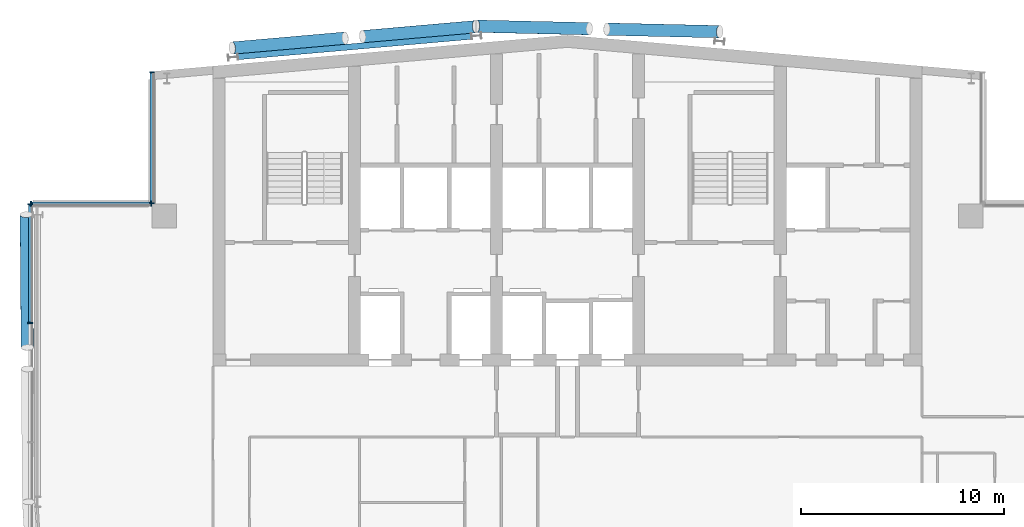
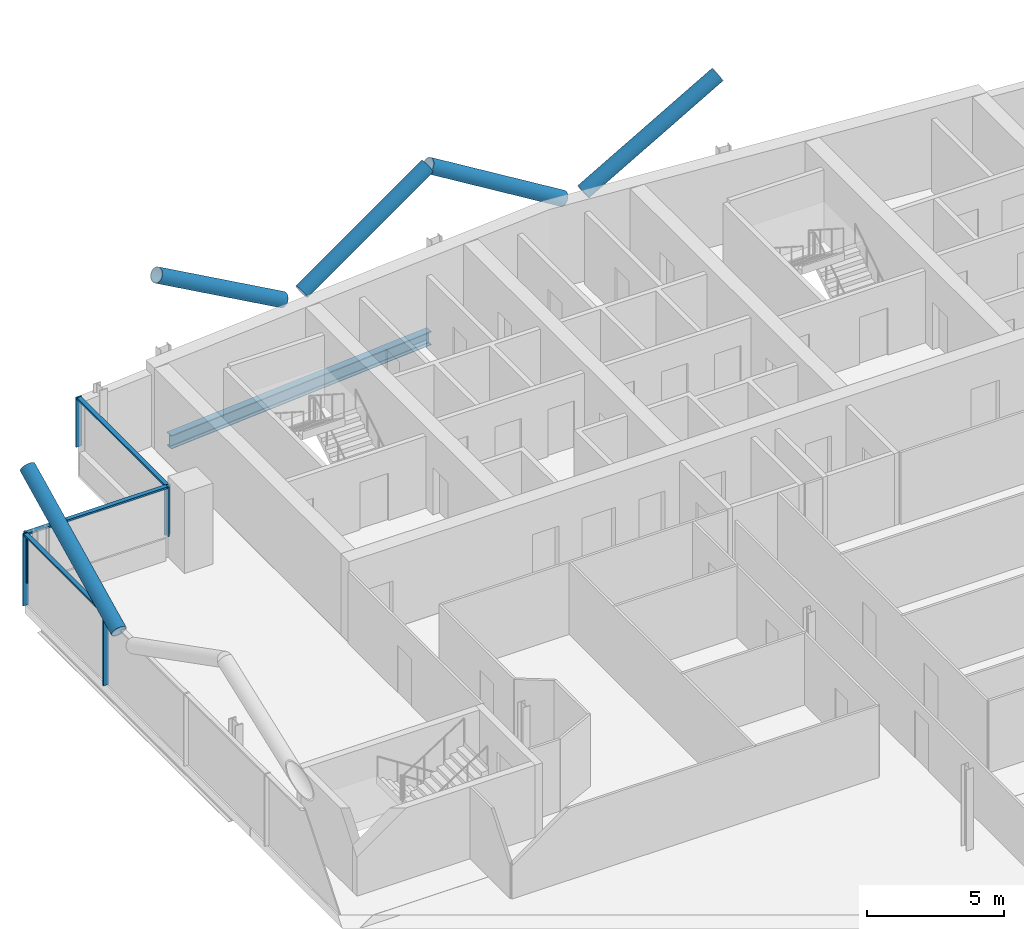
# One storey, part 10 of 27: 14 members, 1 beam, 3 elements without a shape of their own.
"""IFC4 building model written with IfcOpenShell, lengths in metres."""

import ifcopenshell
import ifcopenshell.guid

model = None  # the IFC model being written
_history = None  # IfcOwnerHistory: only IFC2X3 demands one
_inside = {}  # id of a spatial element -> (the spatial element, [elements in it])
_under = {}  # id of a project, library or spatial element -> (it, [spatial elements below it])
_declared = {}  # id of a project -> (the project, [libraries it declares])
_typed = {}  # id of a type object -> (the type object, [elements of that type])
_made_of = {}  # id of a material, layer set ... -> (it, [elements and type objects made of it])


def new_model(schema):
    """Start an empty IFC model of exactly this schema.

    Asked for "IFC4X3", IfcOpenShell would pick the latest addendum, in which some entities
    have other attributes; the version numbers below select the first issue.
    IFC2X3 requires an IfcOwnerHistory on every rooted entity: one is made here for all.
    """
    global model, _history
    if schema == "IFC4X3":
        model = ifcopenshell.file(schema_version=(4, 3, 0, 0))
    else:
        model = ifcopenshell.file(schema=schema)
    _inside.clear()
    _under.clear()
    _declared.clear()
    _typed.clear()
    _made_of.clear()
    _history = None
    if model.schema == "IFC2X3":
        org = make("IfcOrganization", Name="unknown")
        user = make(
            "IfcPersonAndOrganization",
            ThePerson=make("IfcPerson", FamilyName="unknown"),
            TheOrganization=org,
        )
        app = make(
            "IfcApplication",
            ApplicationDeveloper=org,
            Version="unknown",
            ApplicationFullName="unknown",
            ApplicationIdentifier="unknown",
        )
        _history = make(
            "IfcOwnerHistory",
            OwningUser=user,
            OwningApplication=app,
            ChangeAction="ADDED",
            CreationDate=0,
        )
    return model


def make(cls, **values):
    """One entity of the class cls with the attributes given. An attribute that is None is left unset."""
    return model.create_entity(
        cls, **{name: value for name, value in values.items() if value is not None}
    )


def rooted(cls, **values):
    """An entity with a GlobalId (a new one), such as an element, a storey or a relation."""
    return make(cls, GlobalId=ifcopenshell.guid.new(), OwnerHistory=_history, **values)


def si_unit(unit_type, name, prefix=None):
    """IfcSIUnit, for example si_unit("LENGTHUNIT", "METRE", prefix="MILLI")."""
    return make("IfcSIUnit", UnitType=unit_type, Prefix=prefix, Name=name)


def assignment(units):
    """IfcUnitAssignment: the units of a project."""
    return None if units is None else make("IfcUnitAssignment", Units=units)


def point(xyz):
    """IfcCartesianPoint."""
    return None if xyz is None else make("IfcCartesianPoint", Coordinates=xyz)


def direction(xyz):
    """IfcDirection."""
    return None if xyz is None else make("IfcDirection", DirectionRatios=xyz)


def frame(location, z_axis=None, x_axis=None):
    """IfcAxis2Placement3D, a coordinate frame: its origin and axes. An axis left out is left unset."""
    return make(
        "IfcAxis2Placement3D",
        Location=point(location),
        Axis=direction(z_axis),
        RefDirection=direction(x_axis),
    )


def frame_2d(location, x_axis=None):
    """IfcAxis2Placement2D, a coordinate frame in the plane: its origin and x axis."""
    return make(
        "IfcAxis2Placement2D", Location=point(location), RefDirection=direction(x_axis)
    )


def origin():
    """The frame at (0, 0, 0) with its axes left unset."""
    return frame((0.0, 0.0, 0.0))


def origin_2d():
    """The frame at (0, 0) in the plane with its x axis left unset."""
    return frame_2d((0.0, 0.0))


def place(relative_to, where):
    """IfcLocalPlacement: puts the frame where relative to a parent placement (None: the world)."""
    return make(
        "IfcLocalPlacement", PlacementRelTo=relative_to, RelativePlacement=where
    )


def context(
    kind, dimensions, precision=None, world=None, true_north=None, identifier=None
):
    """IfcGeometricRepresentationContext, for example the 3D "Model" context."""
    return make(
        "IfcGeometricRepresentationContext",
        ContextIdentifier=identifier,
        ContextType=kind,
        CoordinateSpaceDimension=dimensions,
        Precision=precision,
        WorldCoordinateSystem=world,
        TrueNorth=true_north,
    )


def subcontext(parent, identifier, kind, view, scale=None):
    """IfcGeometricRepresentationSubContext, for example "Body" below "Model"."""
    return make(
        "IfcGeometricRepresentationSubContext",
        ContextIdentifier=identifier,
        ContextType=kind,
        ParentContext=parent,
        TargetScale=scale,
        TargetView=view,
    )


def project(units=None, contexts=None):
    """IfcProject with its units and contexts."""
    return rooted(
        "IfcProject",
        Name="project",
        RepresentationContexts=contexts,
        UnitsInContext=assignment(units),
    )


def spatial(cls, under=None, at=None, **own):
    """A site, building, storey or space (cls), placed at a placement, below another one or the project."""
    s = rooted(cls, ObjectPlacement=at, **own)
    if under is not None:
        _under.setdefault(under.id(), (under, []))[1].append(s)
    return s


def profile(cls, at=None, kind="AREA", **sizes):
    """A parametric profile (cls). Its sizes go by their IFC names, for example OverallWidth=200.0."""
    return make(cls, ProfileType=kind, Position=at, **sizes)


def rectangle(**sizes):
    """IfcRectangleProfileDef."""
    return profile("IfcRectangleProfileDef", **sizes)


def hollow_circle(**sizes):
    """IfcCircleHollowProfileDef."""
    return profile("IfcCircleHollowProfileDef", **sizes)


def i_section(**sizes):
    """IfcIShapeProfileDef."""
    return profile("IfcIShapeProfileDef", **sizes)


def extrude(swept, where, along, depth):
    """IfcExtrudedAreaSolid: the profile swept, set in the frame where, extruded along a direction by depth."""
    return make(
        "IfcExtrudedAreaSolid",
        SweptArea=swept,
        Position=where,
        ExtrudedDirection=direction(along),
        Depth=depth,
    )


def shape(context_of_items, identifier, shape_type, items):
    """IfcShapeRepresentation: the items that make up one representation, for example the "Body"."""
    return make(
        "IfcShapeRepresentation",
        ContextOfItems=context_of_items,
        RepresentationIdentifier=identifier,
        RepresentationType=shape_type,
        Items=items,
    )


def material(Name=None, Category=None):
    """IfcMaterial."""
    return make("IfcMaterial", Name=Name, Category=Category)


def material_profile(
    of_material, cross_section, Name=None, Category=None, Priority=None
):
    """IfcMaterialProfile: a cross section and its material."""
    return make(
        "IfcMaterialProfile",
        Name=Name,
        Material=of_material,
        Profile=cross_section,
        Priority=Priority,
        Category=Category,
    )


def profile_set(profiles, Name=None, composite=None):
    """IfcMaterialProfileSet."""
    return make(
        "IfcMaterialProfileSet",
        Name=Name,
        MaterialProfiles=profiles,
        CompositeProfile=composite,
    )


def made_of(thing, what):
    """Note that an element or type object is made of a material, layer set ...; save() writes the relation."""
    if what is not None:
        _made_of.setdefault(what.id(), (what, []))[1].append(thing)
    return thing


def type_object(cls, material=None, **own):
    """A type object (cls), such as IfcWallType, which elements share."""
    return made_of(rooted(cls, **own), material)


def element(
    cls,
    number,
    at=None,
    inside=None,
    cuts=None,
    type_object=None,
    material=None,
    context=None,
    identifier="Body",
    shape_type=None,
    held_by="IfcProductDefinitionShape",
    body=None,
    shapes=None,
    **own,
):
    """One element of the class cls, such as IfcWall. Its Tag is "e" and its number.

    at: its placement. inside: the storey or other place that contains it. cuts: it is an
    opening in that element (IfcRelVoidsElement). A single representation is given by context,
    identifier, shape_type and body (its items); several are given by shapes. held_by: the class
    of the entity that holds the representations. save() writes the other relations.
    """
    e = rooted(cls, Tag="e%d" % number, ObjectPlacement=at, **own)
    if body is not None:
        shapes = [shape(context, identifier, shape_type, body)]
    if shapes is not None:
        e.Representation = make(held_by, Representations=shapes)
    if inside is not None:
        _inside.setdefault(inside.id(), (inside, []))[1].append(e)
    if cuts is not None:
        rooted(
            "IfcRelVoidsElement", RelatingBuildingElement=cuts, RelatedOpeningElement=e
        )
    if type_object is not None:
        _typed.setdefault(type_object.id(), (type_object, []))[1].append(e)
    return made_of(e, material)


def aggregate(whole, parts):
    """IfcRelAggregates: a whole, such as a stair, and the parts it consists of."""
    return rooted("IfcRelAggregates", RelatingObject=whole, RelatedObjects=parts)


def save(model, path):
    """Write the relations noted so far, then the file.

    IfcRelAggregates (storeys below a building ...), IfcRelContainedInSpatialStructure (elements
    in a storey), IfcRelDefinesByType, IfcRelAssociatesMaterial and IfcRelDeclares: one each for
    every whole, place, type object, material and project.
    """
    for whole, parts in _under.values():
        aggregate(whole, parts)
    for where, things in _inside.values():
        rooted(
            "IfcRelContainedInSpatialStructure",
            RelatedElements=things,
            RelatingStructure=where,
        )
    for kind, things in _typed.values():
        rooted("IfcRelDefinesByType", RelatedObjects=things, RelatingType=kind)
    for what, things in _made_of.values():
        rooted("IfcRelAssociatesMaterial", RelatedObjects=things, RelatingMaterial=what)
    for by, libraries in _declared.values():
        rooted("IfcRelDeclares", RelatingContext=by, RelatedDefinitions=libraries)
    model.write(path)


model = new_model("IFC4")

# Units and contexts
model_context = context("Model", 3, precision=1e-05, world=origin(), true_north=direction((0.0, 1.0)))
body_context = subcontext(model_context, "Body", "Model", "MODEL_VIEW")
ifc_project = project(units=[si_unit("LENGTHUNIT", "METRE"), si_unit("AREAUNIT", "SQUARE_METRE"), si_unit("VOLUMEUNIT", "CUBIC_METRE"), si_unit("PLANEANGLEUNIT", "RADIAN"), si_unit("MASSUNIT", "GRAM", prefix="KILO")], contexts=[model_context])

# Site, building, storey
site_placement = place(None, origin())
site = spatial("IfcSite", under=ifc_project, at=site_placement, CompositionType="ELEMENT")
building_placement = place(site_placement, origin())
building = spatial("IfcBuilding", under=site, at=building_placement, Name="Wharfspan Tower", CompositionType="ELEMENT")
storey_placement = place(building_placement, frame((0.0, 0.0, 228.699951)))
storey = spatial("IfcBuildingStorey", under=building, at=storey_placement, Name="L57", CompositionType="ELEMENT", Elevation=228.699951)

# Beam
ifc_material_1 = material(Name="Steel S355J2", Category="steel")
ifc_material_profile_1 = material_profile(ifc_material_1, i_section(OverallWidth=0.300049, OverallDepth=0.600098, WebThickness=0.015381, FlangeThickness=0.030029, FilletRadius=0.0271, at=origin_2d()))
ifc_profile_set_1 = profile_set([ifc_material_profile_1], Name="Steel S355J2")
beam_type = type_object("IfcBeamType", Name="Edge beam HEB 600", PredefinedType="SPANDREL", material=ifc_profile_set_1)
beam_placement = place(storey_placement, frame((35.754883, 50.263428, -0.699951), z_axis=(-0.996194, -0.087165, 0.0), x_axis=(0.087165, -0.996194, 0.0)))
element("IfcBeam", 1, at=beam_placement, inside=storey, type_object=beam_type, Name="Edge beam N1 L57 R.2 to R.1", PredefinedType="SPANDREL", context=body_context, shape_type="SweptSolid", body=[
    extrude(i_section(OverallWidth=0.300049, OverallDepth=0.600098, WebThickness=0.015381, FlangeThickness=0.030029, FilletRadius=0.0271, at=origin_2d()), origin(), (0.0, 0.0, 1.0), 11.553711),
])

# Curtain wall, members
ifc_material_2 = material(Name="Aluminium 6063-T6", Category="aluminium")
curtain_wall_type = type_object("IfcCurtainWallType", Name="CURTAIN WALL PROW AND END", PredefinedType="NOTDEFINED", material=ifc_material_2)
curtain_wall_1_placement = place(storey_placement, origin())
curtain_wall_1 = element("IfcCurtainWall", 2, at=curtain_wall_1_placement, inside=storey, type_object=curtain_wall_type, Name="Curtain wall NRW-V", PredefinedType="NOTDEFINED")
ifc_material_profile_2 = material_profile(ifc_material_2, rectangle(XDim=0.23999, YDim=0.060059, at=origin_2d()))
ifc_profile_set_2 = profile_set([ifc_material_profile_2], Name="Aluminium 6063-T6")
member_type_1 = type_object("IfcMemberType", Name="MULLION PROW AND END 60x240", PredefinedType="MULLION", material=ifc_profile_set_2)
member_1_placement = place(storey_placement, frame((20.0, 48.494873, 1.0), z_axis=(0.0, 0.0, 1.0), x_axis=(1.0, 0.0, 0.0)))
member_1 = element("IfcMember", 3, at=member_1_placement, type_object=member_type_1, Name="Curtain wall NRW-V mullion 1", PredefinedType="MULLION", context=body_context, shape_type="SweptSolid", body=[
    extrude(rectangle(XDim=0.23999, YDim=0.060059, at=origin_2d()), origin(), (0.0, 0.0, 1.0), 2.199951),
])
member_2_placement = place(storey_placement, frame((20.0, 42.030029, 1.0), z_axis=(0.0, 0.0, 1.0), x_axis=(1.0, 0.0, 0.0)))
member_2 = element("IfcMember", 4, at=member_2_placement, type_object=member_type_1, Name="Curtain wall NRW-V mullion 2", PredefinedType="MULLION", context=body_context, shape_type="SweptSolid", body=[
    extrude(rectangle(XDim=0.23999, YDim=0.060059, at=origin_2d()), origin(), (0.0, 0.0, 1.0), 2.199951),
])

curtain_wall_2_placement = place(storey_placement, origin())
curtain_wall_2 = element("IfcCurtainWall", 5, at=curtain_wall_2_placement, inside=storey, type_object=curtain_wall_type, Name="Curtain wall NRW-H", PredefinedType="NOTDEFINED")
member_3_placement = place(storey_placement, frame((19.969971, 42.0, 1.0), z_axis=(0.0, 0.0, 1.0), x_axis=(0.0, -1.0, 0.0)))
member_3 = element("IfcMember", 6, at=member_3_placement, type_object=member_type_1, Name="Curtain wall NRW-H mullion 1", PredefinedType="MULLION", context=body_context, shape_type="SweptSolid", body=[
    extrude(rectangle(XDim=0.23999, YDim=0.060059, at=origin_2d()), origin(), (0.0, 0.0, 1.0), 2.199951),
])
member_4_placement = place(storey_placement, frame((14.030029, 42.0, 1.0), z_axis=(0.0, 0.0, 1.0), x_axis=(0.0, -1.0, 0.0)))
member_4 = element("IfcMember", 7, at=member_4_placement, type_object=member_type_1, Name="Curtain wall NRW-H mullion 2", PredefinedType="MULLION", context=body_context, shape_type="SweptSolid", body=[
    extrude(rectangle(XDim=0.23999, YDim=0.060059, at=origin_2d()), origin(), (0.0, 0.0, 1.0), 2.199951),
])

curtain_wall_3_placement = place(storey_placement, origin())
curtain_wall_3 = element("IfcCurtainWall", 8, at=curtain_wall_3_placement, inside=storey, type_object=curtain_wall_type, Name="Curtain wall W", PredefinedType="NOTDEFINED")
member_5_placement = place(storey_placement, frame((14.0, 41.969971, 0.0), z_axis=(0.0, 0.0, 1.0), x_axis=(1.0, 0.0, 0.0)))
member_5 = element("IfcMember", 9, at=member_5_placement, type_object=member_type_1, Name="Curtain wall W mullion 1", PredefinedType="MULLION", context=body_context, shape_type="SweptSolid", body=[
    extrude(rectangle(XDim=0.23999, YDim=0.060059, at=origin_2d()), origin(), (0.0, 0.0, 1.0), 3.199951),
])
member_6_placement = place(storey_placement, frame((14.0, 36.120117, 0.0), z_axis=(0.0, 0.0, 1.0), x_axis=(1.0, 0.0, 0.0)))
member_6 = element("IfcMember", 10, at=member_6_placement, type_object=member_type_1, Name="Curtain wall W mullion 2", PredefinedType="MULLION", context=body_context, shape_type="SweptSolid", body=[
    extrude(rectangle(XDim=0.23999, YDim=0.060059, at=origin_2d()), origin(), (0.0, 0.0, 1.0), 3.199951),
])

# Members
ifc_material_3 = material(Name="Steel S460NH", Category="steel")
ifc_material_profile_3 = material_profile(ifc_material_3, hollow_circle(Radius=0.304932, WallThickness=0.024902, at=origin_2d()))
ifc_profile_set_3 = profile_set([ifc_material_profile_3], Name="Steel S460NH")
member_type_2 = type_object("IfcMemberType", Name="Mega brace CHS 610x25", PredefinedType="BRACE", material=ifc_profile_set_3)
member_7_placement = place(storey_placement, frame((13.844727, 34.910645, 3.169922), z_axis=(-0.007044, 0.891361, 0.45324), x_axis=(-0.999973, -0.007904, 3e-06)))
element("IfcMember", 11, at=member_7_placement, inside=storey, type_object=member_type_2, Name="Mega brace W3 L57 part 4", PredefinedType="BRACE", context=body_context, shape_type="SweptSolid", body=[
    extrude(hollow_circle(Radius=0.304932, WallThickness=0.024902, at=origin_2d()), origin(), (0.0, 0.0, 1.0), 7.347168),
])
member_8_placement = place(storey_placement, frame((30.393555, 50.248047, 3.159912), z_axis=(0.855103, 0.074812, 0.513032), x_axis=(-0.087157, 0.996193, 2e-06)))
element("IfcMember", 12, at=member_8_placement, inside=storey, type_object=member_type_2, Name="Mega brace N7 L57 part 2", PredefinedType="BRACE", context=body_context, shape_type="SweptSolid", body=[
    extrude(hollow_circle(Radius=0.304932, WallThickness=0.024902, at=origin_2d()), origin(), (0.0, 0.0, 1.0), 6.510498),
])
member_9_placement = place(storey_placement, frame((29.527588, 50.172119, 3.159912), z_axis=(-0.855093, -0.074814, 0.513048), x_axis=(0.087159, -0.996198, -1e-06)))
element("IfcMember", 13, at=member_9_placement, inside=storey, type_object=member_type_2, Name="Mega brace N7 L57 part 4", PredefinedType="BRACE", context=body_context, shape_type="SweptSolid", body=[
    extrude(hollow_circle(Radius=0.304932, WallThickness=0.024902, at=origin_2d()), origin(), (0.0, 0.0, 1.0), 6.510254),
])
for number, where, z_axis, x_axis, name in (
    (14, (42.442871, 50.616699, 3.159668), (0.857337, -0.019475, 0.514387), (0.022711, 0.999741, -2e-06), "Mega brace N8 L57 part 2"),
    (15, (41.577881, 50.636475, 3.159668), (-0.857337, 0.019475, 0.514387), (-0.022711, -0.999741, -2e-06), "Mega brace N8 L57 part 4"),
):
    element("IfcMember", number, at=place(storey_placement, frame(where, z_axis=z_axis, x_axis=x_axis)), inside=storey, type_object=member_type_2, Name=name, PredefinedType="BRACE", context=body_context, shape_type="SweptSolid", body=[
        extrude(hollow_circle(Radius=0.304932, WallThickness=0.024902, at=origin_2d()), origin(), (0.0, 0.0, 1.0), 6.493896),
    ])

# Member
ifc_material_profile_4 = material_profile(ifc_material_2, rectangle(XDim=0.179932, YDim=0.080078, at=origin_2d()))
ifc_profile_set_4 = profile_set([ifc_material_profile_4], Name="Aluminium 6063-T6")
member_type_3 = type_object("IfcMemberType", Name="TRANSOM PROW AND END 80x180", PredefinedType="USERDEFINED", material=ifc_profile_set_4)
member_10_placement = place(storey_placement, frame((20.0, 48.464844, 3.160156), z_axis=(0.0, -1.0, 0.0), x_axis=(1.0, 0.0, 0.0)))
member_10 = element("IfcMember", 16, at=member_10_placement, type_object=member_type_3, Name="Curtain wall NRW-V transom 1", ObjectType="TRANSOM", PredefinedType="USERDEFINED", context=body_context, shape_type="SweptSolid", body=[
    extrude(rectangle(XDim=0.179932, YDim=0.080078, at=origin_2d()), origin(), (0.0, 0.0, 1.0), 6.404785),
])

aggregate(curtain_wall_1, [member_1, member_2, member_10])

member_11_placement = place(storey_placement, frame((19.939941, 42.0, 3.160156), z_axis=(-1.0, 0.0, 0.0), x_axis=(0.0, -1.0, 0.0)))
member_11 = element("IfcMember", 17, at=member_11_placement, type_object=member_type_3, Name="Curtain wall NRW-H transom 1", ObjectType="TRANSOM", PredefinedType="USERDEFINED", context=body_context, shape_type="SweptSolid", body=[
    extrude(rectangle(XDim=0.179932, YDim=0.080078, at=origin_2d()), origin(), (0.0, 0.0, 1.0), 5.879883),
])

aggregate(curtain_wall_2, [member_3, member_4, member_11])

member_12_placement = place(storey_placement, frame((14.0, 41.939941, 3.160156), z_axis=(0.0, -1.0, 0.0), x_axis=(1.0, 0.0, 0.0)))
member_12 = element("IfcMember", 18, at=member_12_placement, type_object=member_type_3, Name="Curtain wall W transom 1", ObjectType="TRANSOM", PredefinedType="USERDEFINED", context=body_context, shape_type="SweptSolid", body=[
    extrude(rectangle(XDim=0.179932, YDim=0.080078, at=origin_2d()), origin(), (0.0, 0.0, 1.0), 5.790039),
])

aggregate(curtain_wall_3, [member_5, member_6, member_12])

save(model, "model.ifc")
